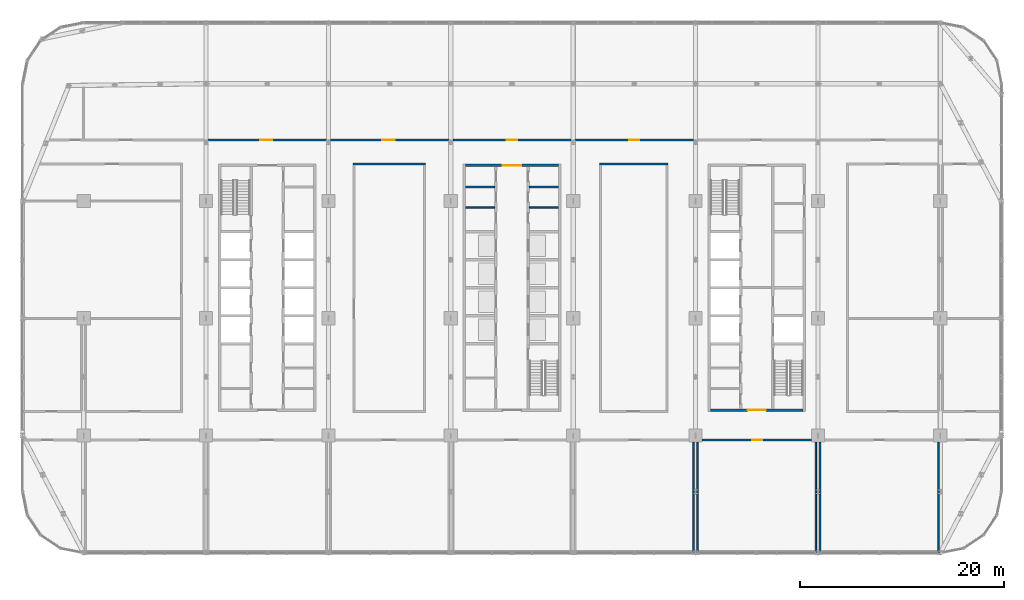
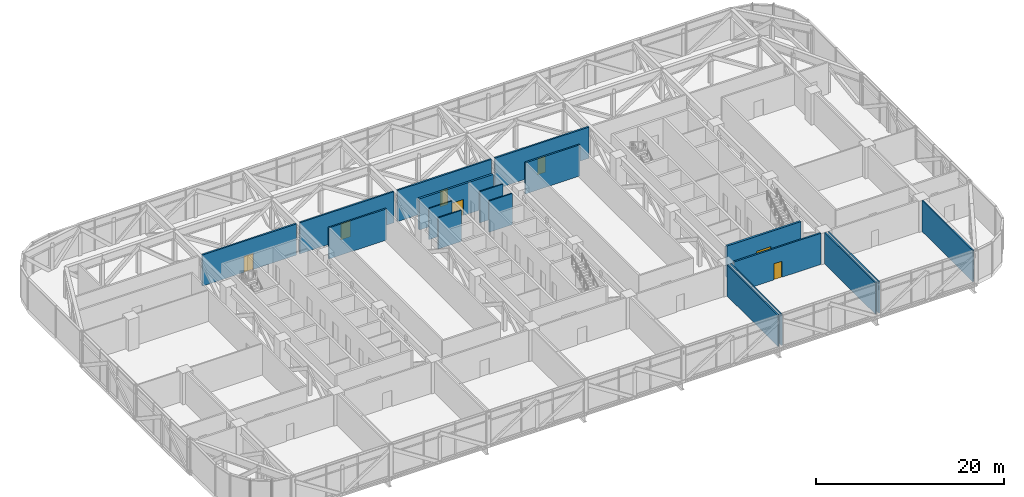
# One storey, part 19 of 30: 18 walls, 7 doors, 7 openings.
"""IFC4 building model written with IfcOpenShell, lengths in metres."""

import ifcopenshell
import ifcopenshell.guid

model = None  # the IFC model being written
_history = None  # IfcOwnerHistory: only IFC2X3 demands one
_inside = {}  # id of a spatial element -> (the spatial element, [elements in it])
_under = {}  # id of a project, library or spatial element -> (it, [spatial elements below it])
_declared = {}  # id of a project -> (the project, [libraries it declares])
_typed = {}  # id of a type object -> (the type object, [elements of that type])
_made_of = {}  # id of a material, layer set ... -> (it, [elements and type objects made of it])


def new_model(schema):
    """Start an empty IFC model of exactly this schema.

    Asked for "IFC4X3", IfcOpenShell would pick the latest addendum, in which some entities
    have other attributes; the version numbers below select the first issue.
    IFC2X3 requires an IfcOwnerHistory on every rooted entity: one is made here for all.
    """
    global model, _history
    if schema == "IFC4X3":
        model = ifcopenshell.file(schema_version=(4, 3, 0, 0))
    else:
        model = ifcopenshell.file(schema=schema)
    _inside.clear()
    _under.clear()
    _declared.clear()
    _typed.clear()
    _made_of.clear()
    _history = None
    if model.schema == "IFC2X3":
        org = make("IfcOrganization", Name="unknown")
        user = make(
            "IfcPersonAndOrganization",
            ThePerson=make("IfcPerson", FamilyName="unknown"),
            TheOrganization=org,
        )
        app = make(
            "IfcApplication",
            ApplicationDeveloper=org,
            Version="unknown",
            ApplicationFullName="unknown",
            ApplicationIdentifier="unknown",
        )
        _history = make(
            "IfcOwnerHistory",
            OwningUser=user,
            OwningApplication=app,
            ChangeAction="ADDED",
            CreationDate=0,
        )
    return model


def make(cls, **values):
    """One entity of the class cls with the attributes given. An attribute that is None is left unset."""
    return model.create_entity(
        cls, **{name: value for name, value in values.items() if value is not None}
    )


def rooted(cls, **values):
    """An entity with a GlobalId (a new one), such as an element, a storey or a relation."""
    return make(cls, GlobalId=ifcopenshell.guid.new(), OwnerHistory=_history, **values)


def si_unit(unit_type, name, prefix=None):
    """IfcSIUnit, for example si_unit("LENGTHUNIT", "METRE", prefix="MILLI")."""
    return make("IfcSIUnit", UnitType=unit_type, Prefix=prefix, Name=name)


def assignment(units):
    """IfcUnitAssignment: the units of a project."""
    return None if units is None else make("IfcUnitAssignment", Units=units)


def point(xyz):
    """IfcCartesianPoint."""
    return None if xyz is None else make("IfcCartesianPoint", Coordinates=xyz)


def direction(xyz):
    """IfcDirection."""
    return None if xyz is None else make("IfcDirection", DirectionRatios=xyz)


def frame(location, z_axis=None, x_axis=None):
    """IfcAxis2Placement3D, a coordinate frame: its origin and axes. An axis left out is left unset."""
    return make(
        "IfcAxis2Placement3D",
        Location=point(location),
        Axis=direction(z_axis),
        RefDirection=direction(x_axis),
    )


def frame_2d(location, x_axis=None):
    """IfcAxis2Placement2D, a coordinate frame in the plane: its origin and x axis."""
    return make(
        "IfcAxis2Placement2D", Location=point(location), RefDirection=direction(x_axis)
    )


def origin():
    """The frame at (0, 0, 0) with its axes left unset."""
    return frame((0.0, 0.0, 0.0))


def place(relative_to, where):
    """IfcLocalPlacement: puts the frame where relative to a parent placement (None: the world)."""
    return make(
        "IfcLocalPlacement", PlacementRelTo=relative_to, RelativePlacement=where
    )


def context(
    kind, dimensions, precision=None, world=None, true_north=None, identifier=None
):
    """IfcGeometricRepresentationContext, for example the 3D "Model" context."""
    return make(
        "IfcGeometricRepresentationContext",
        ContextIdentifier=identifier,
        ContextType=kind,
        CoordinateSpaceDimension=dimensions,
        Precision=precision,
        WorldCoordinateSystem=world,
        TrueNorth=true_north,
    )


def subcontext(parent, identifier, kind, view, scale=None):
    """IfcGeometricRepresentationSubContext, for example "Body" below "Model"."""
    return make(
        "IfcGeometricRepresentationSubContext",
        ContextIdentifier=identifier,
        ContextType=kind,
        ParentContext=parent,
        TargetScale=scale,
        TargetView=view,
    )


def project(units=None, contexts=None):
    """IfcProject with its units and contexts."""
    return rooted(
        "IfcProject",
        Name="project",
        RepresentationContexts=contexts,
        UnitsInContext=assignment(units),
    )


def spatial(cls, under=None, at=None, **own):
    """A site, building, storey or space (cls), placed at a placement, below another one or the project."""
    s = rooted(cls, ObjectPlacement=at, **own)
    if under is not None:
        _under.setdefault(under.id(), (under, []))[1].append(s)
    return s


def profile(cls, at=None, kind="AREA", **sizes):
    """A parametric profile (cls). Its sizes go by their IFC names, for example OverallWidth=200.0."""
    return make(cls, ProfileType=kind, Position=at, **sizes)


def rectangle(**sizes):
    """IfcRectangleProfileDef."""
    return profile("IfcRectangleProfileDef", **sizes)


def extrude(swept, where, along, depth):
    """IfcExtrudedAreaSolid: the profile swept, set in the frame where, extruded along a direction by depth."""
    return make(
        "IfcExtrudedAreaSolid",
        SweptArea=swept,
        Position=where,
        ExtrudedDirection=direction(along),
        Depth=depth,
    )


def shape(context_of_items, identifier, shape_type, items):
    """IfcShapeRepresentation: the items that make up one representation, for example the "Body"."""
    return make(
        "IfcShapeRepresentation",
        ContextOfItems=context_of_items,
        RepresentationIdentifier=identifier,
        RepresentationType=shape_type,
        Items=items,
    )


def material(Name=None, Category=None):
    """IfcMaterial."""
    return make("IfcMaterial", Name=Name, Category=Category)


def layer(
    of_material, thickness, ventilated=None, Name=None, Category=None, Priority=None
):
    """IfcMaterialLayer: one layer of a wall or slab, of a material (None: an air gap)."""
    return make(
        "IfcMaterialLayer",
        Material=of_material,
        LayerThickness=thickness,
        IsVentilated=ventilated,
        Name=Name,
        Category=Category,
        Priority=Priority,
    )


def layer_set(layers, Name=None):
    """IfcMaterialLayerSet."""
    return make("IfcMaterialLayerSet", MaterialLayers=layers, LayerSetName=Name)


def made_of(thing, what):
    """Note that an element or type object is made of a material, layer set ...; save() writes the relation."""
    if what is not None:
        _made_of.setdefault(what.id(), (what, []))[1].append(thing)
    return thing


def type_object(cls, material=None, **own):
    """A type object (cls), such as IfcWallType, which elements share."""
    return made_of(rooted(cls, **own), material)


def element(
    cls,
    number,
    at=None,
    inside=None,
    cuts=None,
    type_object=None,
    material=None,
    context=None,
    identifier="Body",
    shape_type=None,
    held_by="IfcProductDefinitionShape",
    body=None,
    shapes=None,
    **own,
):
    """One element of the class cls, such as IfcWall. Its Tag is "e" and its number.

    at: its placement. inside: the storey or other place that contains it. cuts: it is an
    opening in that element (IfcRelVoidsElement). A single representation is given by context,
    identifier, shape_type and body (its items); several are given by shapes. held_by: the class
    of the entity that holds the representations. save() writes the other relations.
    """
    e = rooted(cls, Tag="e%d" % number, ObjectPlacement=at, **own)
    if body is not None:
        shapes = [shape(context, identifier, shape_type, body)]
    if shapes is not None:
        e.Representation = make(held_by, Representations=shapes)
    if inside is not None:
        _inside.setdefault(inside.id(), (inside, []))[1].append(e)
    if cuts is not None:
        rooted(
            "IfcRelVoidsElement", RelatingBuildingElement=cuts, RelatedOpeningElement=e
        )
    if type_object is not None:
        _typed.setdefault(type_object.id(), (type_object, []))[1].append(e)
    return made_of(e, material)


def fill(opening, filler):
    """IfcRelFillsElement: the door or window that sits in an opening."""
    return rooted(
        "IfcRelFillsElement",
        RelatingOpeningElement=opening,
        RelatedBuildingElement=filler,
    )


def aggregate(whole, parts):
    """IfcRelAggregates: a whole, such as a stair, and the parts it consists of."""
    return rooted("IfcRelAggregates", RelatingObject=whole, RelatedObjects=parts)


def save(model, path):
    """Write the relations noted so far, then the file.

    IfcRelAggregates (storeys below a building ...), IfcRelContainedInSpatialStructure (elements
    in a storey), IfcRelDefinesByType, IfcRelAssociatesMaterial and IfcRelDeclares: one each for
    every whole, place, type object, material and project.
    """
    for whole, parts in _under.values():
        aggregate(whole, parts)
    for where, things in _inside.values():
        rooted(
            "IfcRelContainedInSpatialStructure",
            RelatedElements=things,
            RelatingStructure=where,
        )
    for kind, things in _typed.values():
        rooted("IfcRelDefinesByType", RelatedObjects=things, RelatingType=kind)
    for what, things in _made_of.values():
        rooted("IfcRelAssociatesMaterial", RelatedObjects=things, RelatingMaterial=what)
    for by, libraries in _declared.values():
        rooted("IfcRelDeclares", RelatingContext=by, RelatedDefinitions=libraries)
    model.write(path)


model = new_model("IFC4")

# Units and contexts
model_context = context("Model", 3, precision=1e-05, world=origin(), true_north=direction((0.0, 1.0)))
body_context = subcontext(model_context, "Body", "Model", "MODEL_VIEW")
ifc_project = project(units=[si_unit("LENGTHUNIT", "METRE"), si_unit("AREAUNIT", "SQUARE_METRE"), si_unit("VOLUMEUNIT", "CUBIC_METRE"), si_unit("PLANEANGLEUNIT", "RADIAN"), si_unit("MASSUNIT", "GRAM", prefix="KILO")], contexts=[model_context])

# Site, building, storey
site_placement = place(None, origin())
site = spatial("IfcSite", under=ifc_project, at=site_placement, CompositionType="ELEMENT")
building_placement = place(site_placement, origin())
building = spatial("IfcBuilding", under=site, at=building_placement, Name="Mahtab Terrace Research Tower", CompositionType="ELEMENT")
storey_placement = place(building_placement, frame((0.0, 0.0, 154.800048828125)))
storey = spatial("IfcBuildingStorey", under=building, at=storey_placement, Name="L36", CompositionType="ELEMENT", Elevation=154.800048828125)

# Walls
ifc_material_1 = material(Name="Gypsum board partition")
ifc_layer_1 = layer(ifc_material_1, 0.14990234375)
ifc_layer_set_1 = layer_set([ifc_layer_1], Name="Core partition 150")
wall_type_1 = type_object("IfcWallType", Name="Core partition 150", PredefinedType="PARTITIONING", material=ifc_layer_set_1)
for number, where, z_axis, x_axis, name in (
    (1, (-4.550048828125, 10.875, 0.0), (0.0, 0.0, 1.0), (1.0, 0.0, 0.0), "Core wall B pWN788"),
    (2, (-4.550048828125, 12.875, 0.0), (0.0, 0.0, 1.0), (1.0, 0.0, 0.0), "Core wall B pWN988"),
    (3, (1.699951171875, 10.875, 0.0), (0.0, 0.0, 1.0), (1.0, 0.0, 0.0), "Core wall B pEN788"),
    (4, (1.699951171875, 12.875, 0.0), (0.0, 0.0, 1.0), (1.0, 0.0, 0.0), "Core wall B pEN988"),
):
    element("IfcWall", number, at=place(storey_placement, frame(where, z_axis=z_axis, x_axis=x_axis)), inside=storey, type_object=wall_type_1, Name=name, PredefinedType="PARTITIONING", context=body_context, shape_type="SweptSolid", body=[
        extrude(rectangle(XDim=2.85009765625, YDim=0.14990234375, at=frame_2d((1.425048828125, 0.0))), origin(), (0.0, 0.0, 1.0), 4.06005859375),
    ])

# Wall, opening, door
ifc_material_2 = material(Name="Concrete C70/85", Category="concrete")
ifc_layer_2 = layer(ifc_material_2, 0.25)
ifc_layer_set_2 = layer_set([ifc_layer_2], Name="Core wall 250")
wall_type_2 = type_object("IfcWallType", Name="Core wall 250", PredefinedType="SOLIDWALL", material=ifc_layer_set_2)
wall_1_placement = place(storey_placement, frame((-4.550048828125, 15.0, 0.0), z_axis=(0.0, 0.0, 1.0), x_axis=(1.0, 0.0, 0.0)))
wall_1 = element("IfcWall", 5, at=wall_1_placement, inside=storey, type_object=wall_type_2, Name="Core wall B endN", PredefinedType="SOLIDWALL", context=body_context, shape_type="SweptSolid", body=[
    extrude(rectangle(XDim=9.10009765625, YDim=0.25, at=frame_2d((4.550048828125, 0.0))), origin(), (0.0, 0.0, 1.0), 4.06005859375),
])
opening_1_placement = place(wall_1_placement, frame((3.64990234375, 0.0, 0.0)))
opening_1 = element("IfcOpeningElement", 6, at=opening_1_placement, cuts=wall_1, Name="Opening B-N1", PredefinedType="OPENING", context=body_context, shape_type="SweptSolid", body=[
    extrude(rectangle(XDim=1.800048828125, YDim=2.10009765625, at=frame_2d((0.89990234375, 1.050048828125))), frame((0.0, 0.135009765625, 0.0), z_axis=(0.0, -1.0, 0.0), x_axis=(1.0, 0.0, 0.0)), (0.0, 0.0, 1.0), 0.27001953125),
])
ifc_material_3 = material(Name="Steel fire door", Category="steel")
door_type_1 = type_object("IfcDoorType", Name="Lobby double door 1800x2100 1 HR", OperationType="DOUBLE_DOOR_SINGLE_SWING", PredefinedType="DOOR", material=ifc_material_3)
door_1_placement = place(opening_1_placement, origin())
door_1 = element("IfcDoor", 7, at=door_1_placement, inside=storey, type_object=door_type_1, Name="Core entrance door B N", OperationType="DOUBLE_DOOR_SINGLE_SWING", OverallHeight=2.10009765625, OverallWidth=1.800048828125, PredefinedType="DOOR", context=body_context, shape_type="SweptSolid", body=[
    extrude(rectangle(XDim=1.800048828125, YDim=2.10009765625, at=frame_2d((0.89990234375, 1.050048828125))), frame((0.0, 0.02490234375, 0.0), z_axis=(0.0, -1.0, 0.0), x_axis=(1.0, 0.0, 0.0)), (0.0, 0.0, 1.0), 0.050048828125),
])
fill(opening_1, door_1)

wall_2_placement = place(storey_placement, frame((28.550048828125, -9.0, 0.0), z_axis=(0.0, 0.0, 1.0), x_axis=(-1.0, 0.0, 0.0)))
wall_2 = element("IfcWall", 8, at=wall_2_placement, inside=storey, type_object=wall_type_2, Name="Core wall C endS", PredefinedType="SOLIDWALL", context=body_context, shape_type="SweptSolid", body=[
    extrude(rectangle(XDim=9.10009765625, YDim=0.25, at=frame_2d((4.550048828125, 0.0))), origin(), (0.0, 0.0, 1.0), 4.06005859375),
])
opening_2_placement = place(wall_2_placement, frame((3.64990234375, 0.0, 0.0)))
opening_2 = element("IfcOpeningElement", 9, at=opening_2_placement, cuts=wall_2, Name="Opening C-S1", PredefinedType="OPENING", context=body_context, shape_type="SweptSolid", body=[
    extrude(rectangle(XDim=1.800048828125, YDim=2.10009765625, at=frame_2d((0.89990234375, 1.050048828125))), frame((0.0, 0.135009765625, 0.0), z_axis=(0.0, -1.0, 0.0), x_axis=(1.0, 0.0, 0.0)), (0.0, 0.0, 1.0), 0.27001953125),
])
door_2_placement = place(opening_2_placement, origin())
door_2 = element("IfcDoor", 10, at=door_2_placement, inside=storey, type_object=door_type_1, Name="Core entrance door C S", OperationType="DOUBLE_DOOR_SINGLE_SWING", OverallHeight=2.10009765625, OverallWidth=1.800048828125, PredefinedType="DOOR", context=body_context, shape_type="SweptSolid", body=[
    extrude(rectangle(XDim=1.800048828125, YDim=2.10009765625, at=frame_2d((0.89990234375, 1.050048828125))), frame((0.0, 0.02490234375, 0.0), z_axis=(0.0, -1.0, 0.0), x_axis=(1.0, 0.0, 0.0)), (0.0, 0.0, 1.0), 0.050048828125),
])
fill(opening_2, door_2)

ifc_material_4 = material(Name="Gypsum board corridor wall on steel studs", Category="steel")
ifc_layer_3 = layer(ifc_material_4, 0.199951171875)
ifc_layer_set_3 = layer_set([ifc_layer_3], Name="WALL CORRIDOR 200")
wall_type_3 = type_object("IfcWallType", Name="WALL CORRIDOR 200", PredefinedType="PARTITIONING", material=ifc_layer_set_3)
wall_3_placement = place(storey_placement, frame((18.64990234375, -11.949951171875, 0.0), z_axis=(0.0, 0.0, 1.0), x_axis=(1.0, 0.0, 0.0)))
wall_3 = element("IfcWall", 11, at=wall_3_placement, inside=storey, type_object=wall_type_3, Name="L36-W007", PredefinedType="PARTITIONING", context=body_context, shape_type="SweptSolid", body=[
    extrude(rectangle(XDim=10.7001953125, YDim=0.199951171875, at=frame_2d((5.35009765625, 0.0))), origin(), (0.0, 0.0, 1.0), 4.06005859375),
])
opening_3_placement = place(wall_3_placement, frame((4.89990234375, 0.0, 0.0)))
opening_3 = element("IfcOpeningElement", 12, at=opening_3_placement, cuts=wall_3, Name="Opening L36-107", PredefinedType="OPENING", context=body_context, shape_type="SweptSolid", body=[
    extrude(rectangle(XDim=1.0, YDim=2.10009765625, at=frame_2d((0.5, 1.050048828125))), frame((0.0, 0.10986328125, 0.0), z_axis=(0.0, -1.0, 0.0), x_axis=(1.0, 0.0, 0.0)), (0.0, 0.0, 1.0), 0.219970703125),
])
ifc_material_5 = material(Name="Timber door leaf in steel frame", Category="steel")
door_type_2 = type_object("IfcDoorType", Name="DOOR 1000X2100 FD30S", OperationType="SINGLE_SWING_LEFT", PredefinedType="DOOR", material=ifc_material_5)
door_3_placement = place(opening_3_placement, origin())
door_3 = element("IfcDoor", 13, at=door_3_placement, inside=storey, type_object=door_type_2, Name="Door L36-107", OperationType="SINGLE_SWING_LEFT", OverallHeight=2.10009765625, OverallWidth=1.0, PredefinedType="DOOR", context=body_context, shape_type="SweptSolid", body=[
    extrude(rectangle(XDim=1.0, YDim=2.10009765625, at=frame_2d((0.5, 1.050048828125))), frame((0.0, 0.02490234375, 0.0), z_axis=(0.0, -1.0, 0.0), x_axis=(1.0, 0.0, 0.0)), (0.0, 0.0, 1.0), 0.050048828125),
])
fill(opening_3, door_3)

# Walls
wall_4_placement = place(storey_placement, frame((-15.60009765625, 15.125, 0.0), z_axis=(0.0, 0.0, 1.0), x_axis=(1.0, 0.0, 0.0)))
element("IfcWall", 14, at=wall_4_placement, inside=storey, type_object=wall_type_3, Name="L36-W023", PredefinedType="PARTITIONING", context=body_context, shape_type="SweptSolid", body=[
    extrude(rectangle(XDim=7.10009765625, YDim=0.199951171875, at=frame_2d((3.550048828125, 0.0))), origin(), (0.0, 0.0, 1.0), 4.06005859375),
])
wall_5_placement = place(storey_placement, frame((8.60009765625, 15.125, 0.0), z_axis=(0.0, 0.0, 1.0), x_axis=(1.0, 0.0, 0.0)))
element("IfcWall", 15, at=wall_5_placement, inside=storey, type_object=wall_type_3, Name="L36-W024", PredefinedType="PARTITIONING", context=body_context, shape_type="SweptSolid", body=[
    extrude(rectangle(XDim=6.699951171875, YDim=0.199951171875, at=frame_2d((3.35009765625, 0.0))), origin(), (0.0, 0.0, 1.0), 4.06005859375),
])

# Wall, opening, door
wall_6_placement = place(storey_placement, frame((-29.800048828125, 17.5, 0.0), z_axis=(0.0, 0.0, 1.0), x_axis=(1.0, 0.0, 0.0)))
wall_6 = element("IfcWall", 16, at=wall_6_placement, inside=storey, type_object=wall_type_3, Name="L36-W028", PredefinedType="PARTITIONING", context=body_context, shape_type="SweptSolid", body=[
    extrude(rectangle(XDim=11.60009765625, YDim=0.199951171875, at=frame_2d((5.800048828125, 0.0))), origin(), (0.0, 0.0, 1.0), 4.06005859375),
])
opening_4_placement = place(wall_6_placement, frame((5.10009765625, 0.0, 0.0)))
opening_4 = element("IfcOpeningElement", 17, at=opening_4_placement, cuts=wall_6, Name="Opening L36-122", PredefinedType="OPENING", context=body_context, shape_type="SweptSolid", body=[
    extrude(rectangle(XDim=1.199951171875, YDim=2.10009765625, at=frame_2d((0.60009765625, 1.050048828125))), frame((0.0, 0.10986328125, 0.0), z_axis=(0.0, -1.0, 0.0), x_axis=(1.0, 0.0, 0.0)), (0.0, 0.0, 1.0), 0.219970703125),
])
door_type_3 = type_object("IfcDoorType", Name="DOOR 1200X2100 FD30S", OperationType="SINGLE_SWING_LEFT", PredefinedType="DOOR", material=ifc_material_5)
door_4_placement = place(opening_4_placement, origin())
door_4 = element("IfcDoor", 18, at=door_4_placement, inside=storey, type_object=door_type_3, Name="Door L36-122", OperationType="SINGLE_SWING_LEFT", OverallHeight=2.10009765625, OverallWidth=1.199951171875, PredefinedType="DOOR", context=body_context, shape_type="SweptSolid", body=[
    extrude(rectangle(XDim=1.199951171875, YDim=2.10009765625, at=frame_2d((0.60009765625, 1.050048828125))), frame((0.0, 0.02490234375, 0.0), z_axis=(0.0, -1.0, 0.0), x_axis=(1.0, 0.0, 0.0)), (0.0, 0.0, 1.0), 0.050048828125),
])
fill(opening_4, door_4)

wall_7_placement = place(storey_placement, frame((-17.800048828125, 17.5, 0.0), z_axis=(0.0, 0.0, 1.0), x_axis=(1.0, 0.0, 0.0)))
wall_7 = element("IfcWall", 19, at=wall_7_placement, inside=storey, type_object=wall_type_3, Name="L36-W029", PredefinedType="PARTITIONING", context=body_context, shape_type="SweptSolid", body=[
    extrude(rectangle(XDim=11.60009765625, YDim=0.199951171875, at=frame_2d((5.800048828125, 0.0))), origin(), (0.0, 0.0, 1.0), 4.06005859375),
])
opening_5_placement = place(wall_7_placement, frame((5.10009765625, 0.0, 0.0)))
opening_5 = element("IfcOpeningElement", 20, at=opening_5_placement, cuts=wall_7, Name="Opening L36-123", PredefinedType="OPENING", context=body_context, shape_type="SweptSolid", body=[
    extrude(rectangle(XDim=1.199951171875, YDim=2.10009765625, at=frame_2d((0.60009765625, 1.050048828125))), frame((0.0, 0.10986328125, 0.0), z_axis=(0.0, -1.0, 0.0), x_axis=(1.0, 0.0, 0.0)), (0.0, 0.0, 1.0), 0.219970703125),
])
door_5_placement = place(opening_5_placement, origin())
door_5 = element("IfcDoor", 21, at=door_5_placement, inside=storey, type_object=door_type_3, Name="Door L36-123", OperationType="SINGLE_SWING_LEFT", OverallHeight=2.10009765625, OverallWidth=1.199951171875, PredefinedType="DOOR", context=body_context, shape_type="SweptSolid", body=[
    extrude(rectangle(XDim=1.199951171875, YDim=2.10009765625, at=frame_2d((0.60009765625, 1.050048828125))), frame((0.0, 0.02490234375, 0.0), z_axis=(0.0, -1.0, 0.0), x_axis=(1.0, 0.0, 0.0)), (0.0, 0.0, 1.0), 0.050048828125),
])
fill(opening_5, door_5)

wall_8_placement = place(storey_placement, frame((-5.800048828125, 17.5, 0.0), z_axis=(0.0, 0.0, 1.0), x_axis=(1.0, 0.0, 0.0)))
wall_8 = element("IfcWall", 22, at=wall_8_placement, inside=storey, type_object=wall_type_3, Name="L36-W030", PredefinedType="PARTITIONING", context=body_context, shape_type="SweptSolid", body=[
    extrude(rectangle(XDim=11.60009765625, YDim=0.199951171875, at=frame_2d((5.800048828125, 0.0))), origin(), (0.0, 0.0, 1.0), 4.06005859375),
])
opening_6_placement = place(wall_8_placement, frame((5.300048828125, 0.0, 0.0)))
opening_6 = element("IfcOpeningElement", 23, at=opening_6_placement, cuts=wall_8, Name="Opening L36-124", PredefinedType="OPENING", context=body_context, shape_type="SweptSolid", body=[
    extrude(rectangle(XDim=1.0, YDim=2.10009765625, at=frame_2d((0.5, 1.050048828125))), frame((0.0, 0.10986328125, 0.0), z_axis=(0.0, -1.0, 0.0), x_axis=(1.0, 0.0, 0.0)), (0.0, 0.0, 1.0), 0.219970703125),
])
door_6_placement = place(opening_6_placement, origin())
door_6 = element("IfcDoor", 24, at=door_6_placement, inside=storey, type_object=door_type_2, Name="Door L36-124", OperationType="SINGLE_SWING_LEFT", OverallHeight=2.10009765625, OverallWidth=1.0, PredefinedType="DOOR", context=body_context, shape_type="SweptSolid", body=[
    extrude(rectangle(XDim=1.0, YDim=2.10009765625, at=frame_2d((0.5, 1.050048828125))), frame((0.0, 0.02490234375, 0.0), z_axis=(0.0, -1.0, 0.0), x_axis=(1.0, 0.0, 0.0)), (0.0, 0.0, 1.0), 0.050048828125),
])
fill(opening_6, door_6)

wall_9_placement = place(storey_placement, frame((6.199951171875, 17.5, 0.0), z_axis=(0.0, 0.0, 1.0), x_axis=(1.0, 0.0, 0.0)))
wall_9 = element("IfcWall", 25, at=wall_9_placement, inside=storey, type_object=wall_type_3, Name="L36-W031", PredefinedType="PARTITIONING", context=body_context, shape_type="SweptSolid", body=[
    extrude(rectangle(XDim=11.60009765625, YDim=0.199951171875, at=frame_2d((5.800048828125, 0.0))), origin(), (0.0, 0.0, 1.0), 4.06005859375),
])
opening_7_placement = place(wall_9_placement, frame((5.300048828125, 0.0, 0.0)))
opening_7 = element("IfcOpeningElement", 26, at=opening_7_placement, cuts=wall_9, Name="Opening L36-125", PredefinedType="OPENING", context=body_context, shape_type="SweptSolid", body=[
    extrude(rectangle(XDim=1.0, YDim=2.10009765625, at=frame_2d((0.5, 1.050048828125))), frame((0.0, 0.10986328125, 0.0), z_axis=(0.0, -1.0, 0.0), x_axis=(1.0, 0.0, 0.0)), (0.0, 0.0, 1.0), 0.219970703125),
])
door_7_placement = place(opening_7_placement, origin())
door_7 = element("IfcDoor", 27, at=door_7_placement, inside=storey, type_object=door_type_2, Name="Door L36-125", OperationType="SINGLE_SWING_LEFT", OverallHeight=2.10009765625, OverallWidth=1.0, PredefinedType="DOOR", context=body_context, shape_type="SweptSolid", body=[
    extrude(rectangle(XDim=1.0, YDim=2.10009765625, at=frame_2d((0.5, 1.050048828125))), frame((0.0, 0.02490234375, 0.0), z_axis=(0.0, -1.0, 0.0), x_axis=(1.0, 0.0, 0.0)), (0.0, 0.0, 1.0), 0.050048828125),
])
fill(opening_7, door_7)

# Walls
ifc_material_6 = material(Name="Gypsum board partition on steel studs", Category="steel")
ifc_layer_4 = layer(ifc_material_6, 0.14990234375)
ifc_layer_set_4 = layer_set([ifc_layer_4], Name="WALL PARTITION 150")
wall_type_4 = type_object("IfcWallType", Name="WALL PARTITION 150", PredefinedType="PARTITIONING", material=ifc_layer_set_4)
for number, where, z_axis, x_axis, name in (
    (28, (17.800048828125, -22.97509765625, 0.0), (0.0, 0.0, 1.0), (0.0, 1.0, 0.0), "L36-W051"),
    (29, (18.199951171875, -22.97509765625, 0.0), (0.0, 0.0, 1.0), (0.0, 1.0, 0.0), "L36-W052"),
    (30, (29.800048828125, -22.97509765625, 0.0), (0.0, 0.0, 1.0), (0.0, 1.0, 0.0), "L36-W053"),
    (31, (30.199951171875, -22.97509765625, 0.0), (0.0, 0.0, 1.0), (0.0, 1.0, 0.0), "L36-W054"),
    (32, (41.800048828125, -22.97509765625, 0.0), (0.0, 0.0, 1.0), (0.0, 1.0, 0.0), "L36-W056"),
):
    element("IfcWall", number, at=place(storey_placement, frame(where, z_axis=z_axis, x_axis=x_axis)), inside=storey, type_object=wall_type_4, Name=name, PredefinedType="PARTITIONING", context=body_context, shape_type="SweptSolid", body=[
        extrude(rectangle(XDim=10.8251953125, YDim=0.14990234375, at=frame_2d((5.41259765625, 0.0))), origin(), (0.0, 0.0, 1.0), 4.06005859375),
    ])

save(model, "model.ifc")
